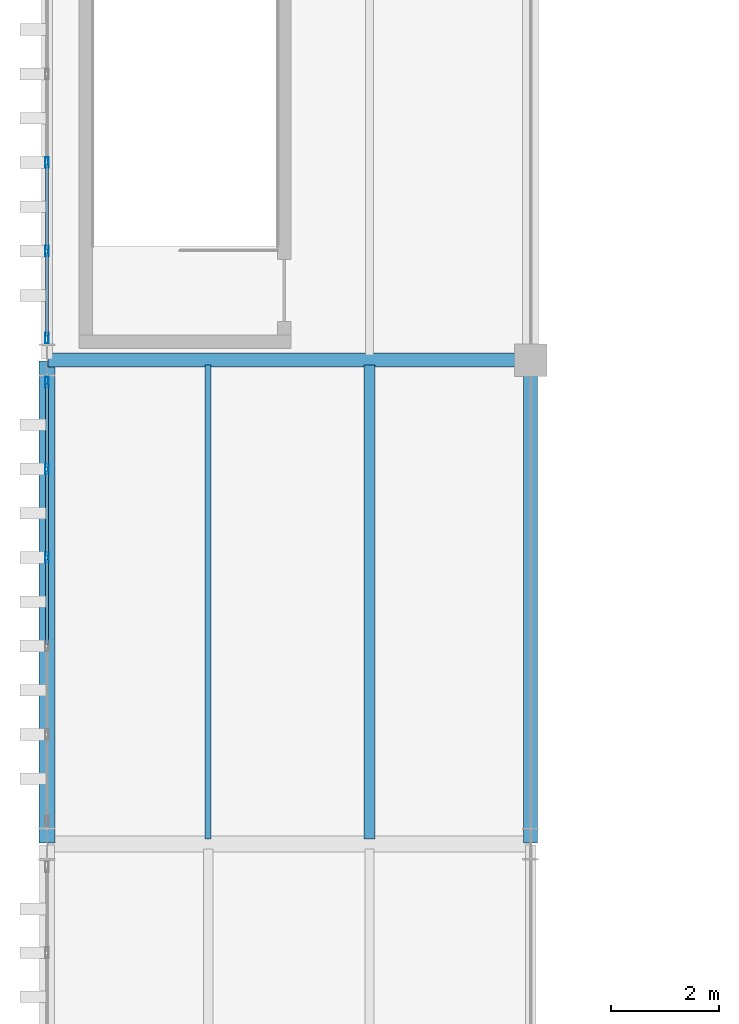
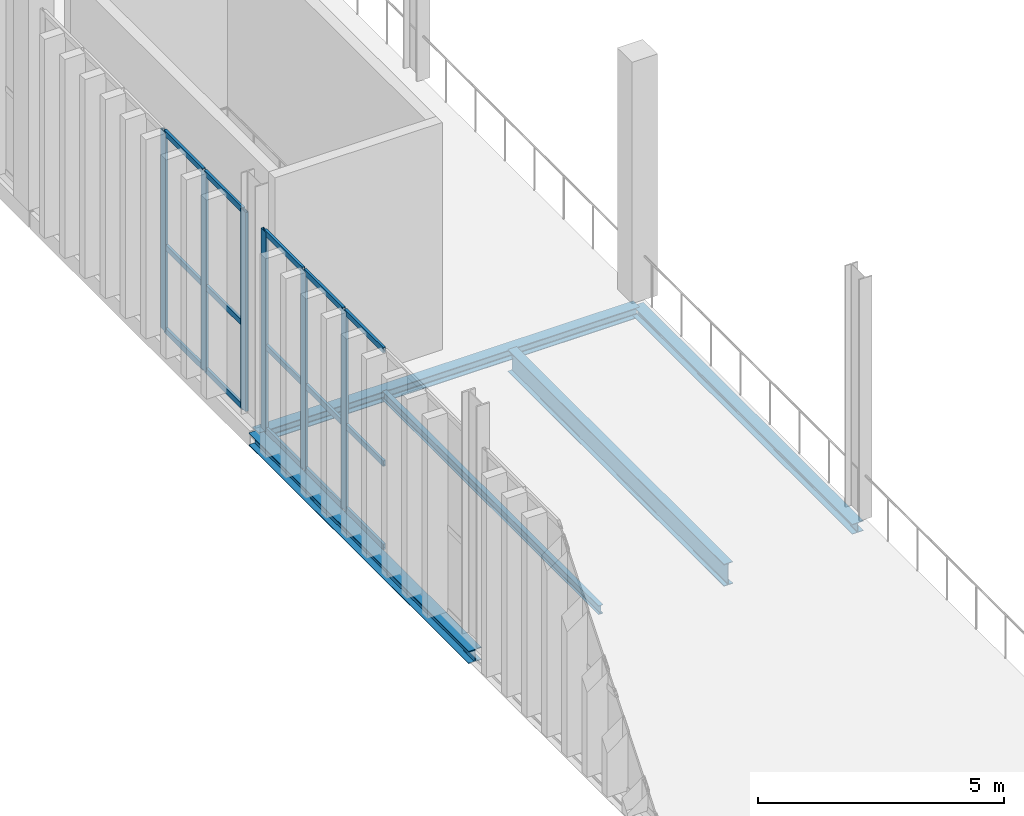
# One storey, part 75 of 211: 21 members, 5 beams, 2 elements without a shape of their own.
"""IFC4 building model written with IfcOpenShell, lengths in metres."""

from ifc_helpers import new_model, si_unit, direction, frame, origin, origin_2d, place, context, subcontext, project, spatial, hollow_rectangle, i_section, extrude, material, layer, layer_set, material_profile, profile_set, type_object, element, aggregate, save


model = new_model("IFC4")

# Units and contexts
model_context = context("Model", 3, precision=1e-05, world=origin(), true_north=direction((0.0, 1.0)))
body_context = subcontext(model_context, "Body", "Model", "MODEL_VIEW")
ifc_project = project(units=[si_unit("LENGTHUNIT", "METRE"), si_unit("AREAUNIT", "SQUARE_METRE"), si_unit("VOLUMEUNIT", "CUBIC_METRE"), si_unit("PLANEANGLEUNIT", "RADIAN"), si_unit("MASSUNIT", "GRAM", prefix="KILO")], contexts=[model_context])

# Site, building, storey
site_placement = place(None, origin())
site = spatial("IfcSite", under=ifc_project, at=site_placement, CompositionType="ELEMENT")
building_placement = place(site_placement, origin())
building = spatial("IfcBuilding", under=site, at=building_placement, Name="Barlavento Convention Centre", CompositionType="ELEMENT")
storey_placement = place(building_placement, frame((0.0, 0.0, 6.0)))
storey = spatial("IfcBuildingStorey", under=building, at=storey_placement, Name="L01", CompositionType="ELEMENT", Elevation=6.0)

# Curtain wall, members
ifc_material_1 = material(Name="Powder-coated aluminium and Low-E glass", Category="aluminium")
ifc_layer = layer(ifc_material_1, 0.179931640625)
ifc_layer_set = layer_set([ifc_layer], Name="ARC-CW-EXH-L01")
curtain_wall_type = type_object("IfcCurtainWallType", Name="ARC-CW-EXH-L01", PredefinedType="NOTDEFINED", material=ifc_layer_set)
curtain_wall_1_placement = place(storey_placement, origin())
curtain_wall_1 = element("IfcCurtainWall", 1, at=curtain_wall_1_placement, inside=storey, type_object=curtain_wall_type, Name="L01 unitised curtain wall CW04", PredefinedType="NOTDEFINED")
ifc_material_2 = material(Name="Powder-coated aluminium", Category="aluminium")
ifc_material_profile_1 = material_profile(ifc_material_2, hollow_rectangle(XDim=0.06494140625, YDim=0.199951171875, WallThickness=0.0048828125, at=origin_2d()), Name="AL-MULL 65x200x5")
ifc_profile_set_1 = profile_set([ifc_material_profile_1], Name="Powder-coated aluminium")
member_type_1 = type_object("IfcMemberType", Name="ARC-CWM-65X200", PredefinedType="MULLION", material=ifc_profile_set_1)
member_1_placement = place(storey_placement, frame((0.0, 86.327880859375, 0.0), z_axis=(0.0, 0.0, 1.0), x_axis=(-1.0, 0.0, 0.0)))
member_1 = element("IfcMember", 2, at=member_1_placement, type_object=member_type_1, Name="CW04 mullion 4", PredefinedType="MULLION", context=body_context, shape_type="SweptSolid", body=[
    extrude(hollow_rectangle(XDim=0.06494140625, YDim=0.199951171875, WallThickness=0.0048828125, at=origin_2d()), origin(), (0.0, 0.0, 1.0), 4.949951171875),
])
member_2_placement = place(storey_placement, frame((0.0, 87.97412109375, 0.0), z_axis=(0.0, 0.0, 1.0), x_axis=(-1.0, 0.0, 0.0)))
member_2 = element("IfcMember", 3, at=member_2_placement, type_object=member_type_1, Name="CW04 mullion 5", PredefinedType="MULLION", context=body_context, shape_type="SweptSolid", body=[
    extrude(hollow_rectangle(XDim=0.06494140625, YDim=0.199951171875, WallThickness=0.0048828125, at=origin_2d()), origin(), (0.0, 0.0, 1.0), 4.949951171875),
])
member_3_placement = place(storey_placement, frame((0.0, 89.58740234375, 0.0), z_axis=(0.0, 0.0, 1.0), x_axis=(-1.0, 0.0, 0.0)))
member_3 = element("IfcMember", 4, at=member_3_placement, type_object=member_type_1, Name="CW04 mullion 6", PredefinedType="MULLION", context=body_context, shape_type="SweptSolid", body=[
    extrude(hollow_rectangle(XDim=0.06494140625, YDim=0.199951171875, WallThickness=0.0048828125, at=origin_2d()), origin(), (0.0, 0.0, 1.0), 4.949951171875),
])

curtain_wall_2_placement = place(storey_placement, origin())
curtain_wall_2 = element("IfcCurtainWall", 5, at=curtain_wall_2_placement, inside=storey, type_object=curtain_wall_type, Name="L01 unitised curtain wall CW04", PredefinedType="NOTDEFINED")
member_4_placement = place(storey_placement, frame((0.0, 90.41259765625, 0.0), z_axis=(0.0, 0.0, 1.0), x_axis=(-1.0, 0.0, 0.0)))
member_4 = element("IfcMember", 6, at=member_4_placement, type_object=member_type_1, Name="CW04 mullion 1", PredefinedType="MULLION", context=body_context, shape_type="SweptSolid", body=[
    extrude(hollow_rectangle(XDim=0.06494140625, YDim=0.199951171875, WallThickness=0.0048828125, at=origin_2d()), origin(), (0.0, 0.0, 1.0), 4.949951171875),
])
member_5_placement = place(storey_placement, frame((0.0, 92.028076171875, 0.0), z_axis=(0.0, 0.0, 1.0), x_axis=(-1.0, 0.0, 0.0)))
member_5 = element("IfcMember", 7, at=member_5_placement, type_object=member_type_1, Name="CW04 mullion 2", PredefinedType="MULLION", context=body_context, shape_type="SweptSolid", body=[
    extrude(hollow_rectangle(XDim=0.06494140625, YDim=0.199951171875, WallThickness=0.0048828125, at=origin_2d()), origin(), (0.0, 0.0, 1.0), 4.949951171875),
])
member_6_placement = place(storey_placement, frame((0.0, 93.676025390625, 0.0), z_axis=(0.0, 0.0, 1.0), x_axis=(-1.0, 0.0, 0.0)))
member_6 = element("IfcMember", 8, at=member_6_placement, type_object=member_type_1, Name="CW04 mullion 3", PredefinedType="MULLION", context=body_context, shape_type="SweptSolid", body=[
    extrude(hollow_rectangle(XDim=0.06494140625, YDim=0.199951171875, WallThickness=0.0048828125, at=origin_2d()), origin(), (0.0, 0.0, 1.0), 4.949951171875),
])

# Member
ifc_material_profile_2 = material_profile(ifc_material_2, hollow_rectangle(XDim=0.06005859375, YDim=0.139892578125, WallThickness=0.00390625, at=origin_2d()), Name="AL-TRAN 60x140x4")
ifc_profile_set_2 = profile_set([ifc_material_profile_2], Name="Powder-coated aluminium")
member_type_2 = type_object("IfcMemberType", Name="ARC-CWT-60X140", PredefinedType="USERDEFINED", material=ifc_profile_set_2)
member_7_placement = place(storey_placement, frame((0.0, 84.714599609375, 0.030029296875), z_axis=(0.0, 1.0, 0.0), x_axis=(-1.0, 0.0, 0.0)))
member_7 = element("IfcMember", 9, at=member_7_placement, type_object=member_type_2, Name="CW04 transom 3.1", ObjectType="TRANSOM", PredefinedType="USERDEFINED", context=body_context, shape_type="SweptSolid", body=[
    extrude(hollow_rectangle(XDim=0.06005859375, YDim=0.139892578125, WallThickness=0.00390625, at=origin_2d()), origin(), (0.0, 0.0, 1.0), 1.580810546875),
])

member_8_placement = place(storey_placement, frame((0.0, 84.714599609375, 2.10009765625), z_axis=(0.0, 1.0, 0.0), x_axis=(-1.0, 0.0, 0.0)))
member_8 = element("IfcMember", 10, at=member_8_placement, type_object=member_type_2, Name="CW04 transom 3.2", ObjectType="TRANSOM", PredefinedType="USERDEFINED", context=body_context, shape_type="SweptSolid", body=[
    extrude(hollow_rectangle(XDim=0.06005859375, YDim=0.139892578125, WallThickness=0.00390625, at=origin_2d()), origin(), (0.0, 0.0, 1.0), 1.580810546875),
])

member_9_placement = place(storey_placement, frame((0.0, 84.714599609375, 4.919921875), z_axis=(0.0, 1.0, 0.0), x_axis=(-1.0, 0.0, 0.0)))
member_9 = element("IfcMember", 11, at=member_9_placement, type_object=member_type_2, Name="CW04 transom 3.3", ObjectType="TRANSOM", PredefinedType="USERDEFINED", context=body_context, shape_type="SweptSolid", body=[
    extrude(hollow_rectangle(XDim=0.06005859375, YDim=0.139892578125, WallThickness=0.00390625, at=origin_2d()), origin(), (0.0, 0.0, 1.0), 1.580810546875),
])

member_10_placement = place(storey_placement, frame((0.0, 86.360595703125, 0.030029296875), z_axis=(0.0, 1.0, 0.0), x_axis=(-1.0, 0.0, 0.0)))
member_10 = element("IfcMember", 12, at=member_10_placement, type_object=member_type_2, Name="CW04 transom 4.1", ObjectType="TRANSOM", PredefinedType="USERDEFINED", context=body_context, shape_type="SweptSolid", body=[
    extrude(hollow_rectangle(XDim=0.06005859375, YDim=0.139892578125, WallThickness=0.00390625, at=origin_2d()), origin(), (0.0, 0.0, 1.0), 1.580810546875),
])

member_11_placement = place(storey_placement, frame((0.0, 86.360595703125, 2.10009765625), z_axis=(0.0, 1.0, 0.0), x_axis=(-1.0, 0.0, 0.0)))
member_11 = element("IfcMember", 13, at=member_11_placement, type_object=member_type_2, Name="CW04 transom 4.2", ObjectType="TRANSOM", PredefinedType="USERDEFINED", context=body_context, shape_type="SweptSolid", body=[
    extrude(hollow_rectangle(XDim=0.06005859375, YDim=0.139892578125, WallThickness=0.00390625, at=origin_2d()), origin(), (0.0, 0.0, 1.0), 1.580810546875),
])

member_12_placement = place(storey_placement, frame((0.0, 86.360595703125, 4.919921875), z_axis=(0.0, 1.0, 0.0), x_axis=(-1.0, 0.0, 0.0)))
member_12 = element("IfcMember", 14, at=member_12_placement, type_object=member_type_2, Name="CW04 transom 4.3", ObjectType="TRANSOM", PredefinedType="USERDEFINED", context=body_context, shape_type="SweptSolid", body=[
    extrude(hollow_rectangle(XDim=0.06005859375, YDim=0.139892578125, WallThickness=0.00390625, at=origin_2d()), origin(), (0.0, 0.0, 1.0), 1.580810546875),
])

member_13_placement = place(storey_placement, frame((0.0, 88.006591796875, 0.030029296875), z_axis=(0.0, 1.0, 0.0), x_axis=(-1.0, 0.0, 0.0)))
member_13 = element("IfcMember", 15, at=member_13_placement, type_object=member_type_2, Name="CW04 transom 5.1", ObjectType="TRANSOM", PredefinedType="USERDEFINED", context=body_context, shape_type="SweptSolid", body=[
    extrude(hollow_rectangle(XDim=0.06005859375, YDim=0.139892578125, WallThickness=0.00390625, at=origin_2d()), origin(), (0.0, 0.0, 1.0), 1.54833984375),
])

member_14_placement = place(storey_placement, frame((0.0, 88.006591796875, 2.10009765625), z_axis=(0.0, 1.0, 0.0), x_axis=(-1.0, 0.0, 0.0)))
member_14 = element("IfcMember", 16, at=member_14_placement, type_object=member_type_2, Name="CW04 transom 5.2", ObjectType="TRANSOM", PredefinedType="USERDEFINED", context=body_context, shape_type="SweptSolid", body=[
    extrude(hollow_rectangle(XDim=0.06005859375, YDim=0.139892578125, WallThickness=0.00390625, at=origin_2d()), origin(), (0.0, 0.0, 1.0), 1.54833984375),
])

member_15_placement = place(storey_placement, frame((0.0, 88.006591796875, 4.919921875), z_axis=(0.0, 1.0, 0.0), x_axis=(-1.0, 0.0, 0.0)))
member_15 = element("IfcMember", 17, at=member_15_placement, type_object=member_type_2, Name="CW04 transom 5.3", ObjectType="TRANSOM", PredefinedType="USERDEFINED", context=body_context, shape_type="SweptSolid", body=[
    extrude(hollow_rectangle(XDim=0.06005859375, YDim=0.139892578125, WallThickness=0.00390625, at=origin_2d()), origin(), (0.0, 0.0, 1.0), 1.54833984375),
])

aggregate(curtain_wall_1, [member_1, member_2, member_3, member_7, member_8, member_9, member_10, member_11, member_12, member_13, member_14, member_15])

member_16_placement = place(storey_placement, frame((0.0, 90.445068359375, 0.030029296875), z_axis=(0.0, 1.0, 0.0), x_axis=(-1.0, 0.0, 0.0)))
member_16 = element("IfcMember", 18, at=member_16_placement, type_object=member_type_2, Name="CW04 transom 1.1", ObjectType="TRANSOM", PredefinedType="USERDEFINED", context=body_context, shape_type="SweptSolid", body=[
    extrude(hollow_rectangle(XDim=0.06005859375, YDim=0.139892578125, WallThickness=0.00390625, at=origin_2d()), origin(), (0.0, 0.0, 1.0), 1.550537109375),
])

member_17_placement = place(storey_placement, frame((0.0, 90.445068359375, 2.10009765625), z_axis=(0.0, 1.0, 0.0), x_axis=(-1.0, 0.0, 0.0)))
member_17 = element("IfcMember", 19, at=member_17_placement, type_object=member_type_2, Name="CW04 transom 1.2", ObjectType="TRANSOM", PredefinedType="USERDEFINED", context=body_context, shape_type="SweptSolid", body=[
    extrude(hollow_rectangle(XDim=0.06005859375, YDim=0.139892578125, WallThickness=0.00390625, at=origin_2d()), origin(), (0.0, 0.0, 1.0), 1.550537109375),
])

member_18_placement = place(storey_placement, frame((0.0, 90.445068359375, 4.919921875), z_axis=(0.0, 1.0, 0.0), x_axis=(-1.0, 0.0, 0.0)))
member_18 = element("IfcMember", 20, at=member_18_placement, type_object=member_type_2, Name="CW04 transom 1.3", ObjectType="TRANSOM", PredefinedType="USERDEFINED", context=body_context, shape_type="SweptSolid", body=[
    extrude(hollow_rectangle(XDim=0.06005859375, YDim=0.139892578125, WallThickness=0.00390625, at=origin_2d()), origin(), (0.0, 0.0, 1.0), 1.550537109375),
])

member_19_placement = place(storey_placement, frame((0.0, 92.060546875, 0.030029296875), z_axis=(0.0, 1.0, 0.0), x_axis=(-1.0, 0.0, 0.0)))
member_19 = element("IfcMember", 21, at=member_19_placement, type_object=member_type_2, Name="CW04 transom 2.1", ObjectType="TRANSOM", PredefinedType="USERDEFINED", context=body_context, shape_type="SweptSolid", body=[
    extrude(hollow_rectangle(XDim=0.06005859375, YDim=0.139892578125, WallThickness=0.00390625, at=origin_2d()), origin(), (0.0, 0.0, 1.0), 1.5830078125),
])

member_20_placement = place(storey_placement, frame((0.0, 92.060546875, 2.10009765625), z_axis=(0.0, 1.0, 0.0), x_axis=(-1.0, 0.0, 0.0)))
member_20 = element("IfcMember", 22, at=member_20_placement, type_object=member_type_2, Name="CW04 transom 2.2", ObjectType="TRANSOM", PredefinedType="USERDEFINED", context=body_context, shape_type="SweptSolid", body=[
    extrude(hollow_rectangle(XDim=0.06005859375, YDim=0.139892578125, WallThickness=0.00390625, at=origin_2d()), origin(), (0.0, 0.0, 1.0), 1.5830078125),
])

member_21_placement = place(storey_placement, frame((0.0, 92.060546875, 4.919921875), z_axis=(0.0, 1.0, 0.0), x_axis=(-1.0, 0.0, 0.0)))
member_21 = element("IfcMember", 23, at=member_21_placement, type_object=member_type_2, Name="CW04 transom 2.3", ObjectType="TRANSOM", PredefinedType="USERDEFINED", context=body_context, shape_type="SweptSolid", body=[
    extrude(hollow_rectangle(XDim=0.06005859375, YDim=0.139892578125, WallThickness=0.00390625, at=origin_2d()), origin(), (0.0, 0.0, 1.0), 1.5830078125),
])

aggregate(curtain_wall_2, [member_4, member_5, member_6, member_16, member_17, member_18, member_19, member_20, member_21])

# Beams
ifc_material_3 = material(Name="Steel S355", Category="steel")
ifc_material_profile_3 = material_profile(ifc_material_3, i_section(OverallWidth=0.110107421875, OverallDepth=0.219970703125, WebThickness=0.005859375, FlangeThickness=0.00927734375, FilletRadius=0.011962890625, at=origin_2d()), Name="IPE 220")
ifc_profile_set_3 = profile_set([ifc_material_profile_3], Name="Steel S355")
beam_type_1 = type_object("IfcBeamType", Name="STR-BM-JST-IPE220", PredefinedType="JOIST", material=ifc_profile_set_3)
beam_1_placement = place(storey_placement, frame((3.0, 81.094970703125, -0.389892578125), z_axis=(0.0, 1.0, 0.0), x_axis=(-1.0, 0.0, 0.0)))
element("IfcBeam", 24, at=beam_1_placement, inside=storey, type_object=beam_type_1, Name="L01 composite floor joist SJ10", PredefinedType="JOIST", context=body_context, shape_type="SweptSolid", body=[
    extrude(i_section(OverallWidth=0.110107421875, OverallDepth=0.219970703125, WebThickness=0.005859375, FlangeThickness=0.00927734375, FilletRadius=0.011962890625, at=origin_2d()), origin(), (0.0, 0.0, 1.0), 8.81005859375),
])
ifc_material_profile_4 = material_profile(ifc_material_3, i_section(OverallWidth=0.2099609375, OverallDepth=0.550048828125, WebThickness=0.010986328125, FlangeThickness=0.01708984375, FilletRadius=0.02392578125, at=origin_2d()), Name="IPE 550")
ifc_profile_set_4 = profile_set([ifc_material_profile_4], Name="Steel S355")
beam_type_2 = type_object("IfcBeamType", Name="STR-BM-JST-IPE550", PredefinedType="JOIST", material=ifc_profile_set_4)
beam_2_placement = place(storey_placement, frame((6.0, 81.094970703125, -0.554931640625), z_axis=(0.0, 1.0, 0.0), x_axis=(-1.0, 0.0, 0.0)))
element("IfcBeam", 25, at=beam_2_placement, inside=storey, type_object=beam_type_2, Name="L01 composite floor joist SJ01", PredefinedType="JOIST", context=body_context, shape_type="SweptSolid", body=[
    extrude(i_section(OverallWidth=0.2099609375, OverallDepth=0.550048828125, WebThickness=0.010986328125, FlangeThickness=0.01708984375, FilletRadius=0.02392578125, at=origin_2d()), origin(), (0.0, 0.0, 1.0), 8.81005859375),
])
ifc_material_profile_5 = material_profile(ifc_material_3, i_section(OverallWidth=0.260009765625, OverallDepth=0.260009765625, WebThickness=0.010009765625, FlangeThickness=0.017578125, FilletRadius=0.02392578125, at=origin_2d()), Name="HEB 260")
ifc_profile_set_5 = profile_set([ifc_material_profile_5], Name="Steel S355")
beam_type_3 = type_object("IfcBeamType", Name="STR-BM-PRI-HEB260", PredefinedType="BEAM", material=ifc_profile_set_5)
beam_3_placement = place(storey_placement, frame((0.02001953125, 90.0, -0.409912109375), z_axis=(1.0, 0.0, 0.0), x_axis=(0.0, 1.0, 0.0)))
element("IfcBeam", 26, at=beam_3_placement, inside=storey, type_object=beam_type_3, Name="L01 primary girder BG16", PredefinedType="BEAM", context=body_context, shape_type="SweptSolid", body=[
    extrude(i_section(OverallWidth=0.260009765625, OverallDepth=0.260009765625, WebThickness=0.010009765625, FlangeThickness=0.017578125, FilletRadius=0.02392578125, at=origin_2d()), origin(), (0.0, 0.0, 1.0), 8.9599609375),
])
ifc_material_profile_6 = material_profile(ifc_material_3, i_section(OverallWidth=0.260009765625, OverallDepth=0.25, WebThickness=0.007568359375, FlangeThickness=0.012451171875, FilletRadius=0.02392578125, at=origin_2d()), Name="HEA 260")
ifc_profile_set_6 = profile_set([ifc_material_profile_6], Name="Steel S355")
beam_type_4 = type_object("IfcBeamType", Name="STR-BM-SPN-HEA260", PredefinedType="SPANDREL", material=ifc_profile_set_6)
beam_4_placement = place(storey_placement, frame((9.0, 81.02001953125, -0.405029296875), z_axis=(0.0, 1.0, 0.0), x_axis=(-1.0, 0.0, 0.0)))
element("IfcBeam", 27, at=beam_4_placement, inside=storey, type_object=beam_type_4, Name="L01 grid girder SP04", PredefinedType="SPANDREL", context=body_context, shape_type="SweptSolid", body=[
    extrude(i_section(OverallWidth=0.260009765625, OverallDepth=0.25, WebThickness=0.007568359375, FlangeThickness=0.012451171875, FilletRadius=0.02392578125, at=origin_2d()), origin(), (0.0, 0.0, 1.0), 8.9599609375),
])
ifc_material_profile_7 = material_profile(ifc_material_3, i_section(OverallWidth=0.300048828125, OverallDepth=0.31005859375, WebThickness=0.009033203125, FlangeThickness=0.015380859375, FilletRadius=0.027099609375, at=origin_2d()), Name="HEA 320")
ifc_profile_set_7 = profile_set([ifc_material_profile_7], Name="Steel S355")
beam_type_5 = type_object("IfcBeamType", Name="STR-BM-SPN-HEA320", PredefinedType="SPANDREL", material=ifc_profile_set_7)
beam_5_placement = place(storey_placement, frame((0.0, 81.02001953125, -0.43505859375), z_axis=(0.0, 1.0, 0.0), x_axis=(-1.0, 0.0, 0.0)))
element("IfcBeam", 28, at=beam_5_placement, inside=storey, type_object=beam_type_5, Name="L01 grid girder SP01", PredefinedType="SPANDREL", context=body_context, shape_type="SweptSolid", body=[
    extrude(i_section(OverallWidth=0.300048828125, OverallDepth=0.31005859375, WebThickness=0.009033203125, FlangeThickness=0.015380859375, FilletRadius=0.027099609375, at=origin_2d()), origin(), (0.0, 0.0, 1.0), 8.9599609375),
])

save(model, "model.ifc")
